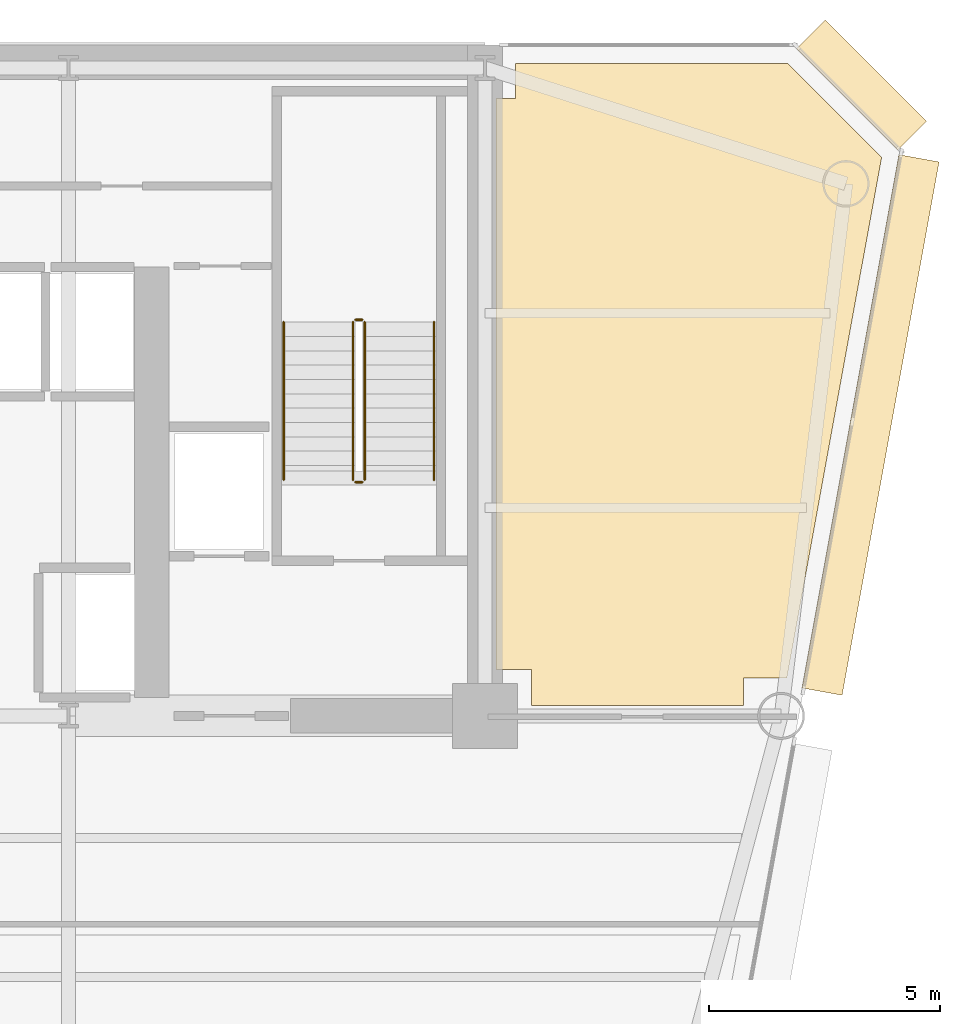
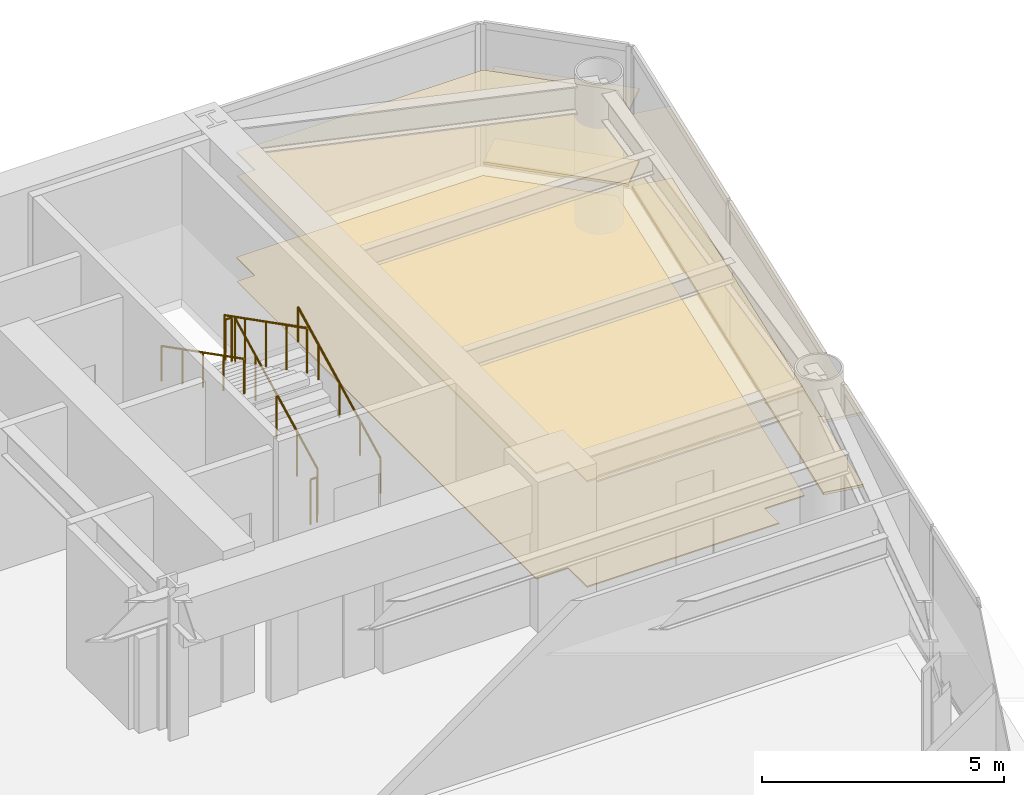
# One storey, part 14 of 14: 6 coverings, 6 railings.
"""IFC4 building model written with IfcOpenShell, lengths in metres."""

from ifc_helpers import new_model, si_unit, direction, frame, origin, origin_2d, place, context, subcontext, project, spatial, polyline, rectangle, circle, outline, extrude, source, transform, mapped, material, layer, layer_set, type_object, element, save


model = new_model("IFC4")

# Units and contexts
model_context = context("Model", 3, precision=1e-05, world=origin(), true_north=direction((0.0, 1.0)))
body_context = subcontext(model_context, "Body", "Model", "MODEL_VIEW")
ifc_project = project(units=[si_unit("LENGTHUNIT", "METRE"), si_unit("AREAUNIT", "SQUARE_METRE"), si_unit("VOLUMEUNIT", "CUBIC_METRE"), si_unit("PLANEANGLEUNIT", "RADIAN"), si_unit("MASSUNIT", "GRAM", prefix="KILO")], contexts=[model_context])

# Site, building, storey
site_placement = place(None, origin())
site = spatial("IfcSite", under=ifc_project, at=site_placement, CompositionType="ELEMENT")
building_placement = place(site_placement, origin())
building = spatial("IfcBuilding", under=site, at=building_placement, Name="Vaeldorn Concourse Tower", CompositionType="ELEMENT")
storey_placement = place(building_placement, frame((0.0, 0.0, 122.39990234375)))
storey = spatial("IfcBuildingStorey", under=building, at=storey_placement, Name="L31", CompositionType="ELEMENT", Elevation=122.39990234375)

# Coverings
ifc_material_1 = material(Name="Acoustic Mineral Fibre Board", Category="gypsum")
ifc_layer_1 = layer(ifc_material_1, 0.0400390625)
ifc_layer_set_1 = layer_set([ifc_layer_1], Name="Acoustic Mineral Fibre Board")
covering_type_1 = type_object("IfcCoveringType", Name="COV-CEIL-ACOUSTIC", PredefinedType="CEILING", material=ifc_layer_set_1)
covering_1_placement = place(storey_placement, frame((0.0, 0.0, 2.650146484375)))
element("IfcCovering", 1, at=covering_1_placement, inside=storey, type_object=covering_type_1, Name="Suspended Acoustic Ceiling L31-4", PredefinedType="CEILING", context=body_context, shape_type="SweptSolid", body=[
    extrude(outline(polyline([(54.659912109375, 49.840087890625), (54.659912109375, 50.60009765625), (60.5341796875, 50.60009765625), (62.56884765625, 48.5654296875), (60.523681640625, 37.320068359375), (59.580078125, 37.320068359375), (59.580078125, 36.719970703125), (55.0, 36.719970703125), (55.0, 37.5), (54.239990234375, 37.5), (54.239990234375, 49.840087890625), (54.659912109375, 49.840087890625)])), origin(), (0.0, 0.0, 1.0), 0.0400390625),
])
ifc_material_2 = material(Name="Honed Limestone Terrazzo Flooring", Category="masonry")
ifc_layer_2 = layer(ifc_material_2, 0.0400390625)
ifc_layer_set_2 = layer_set([ifc_layer_2], Name="Honed Limestone Terrazzo Flooring")
covering_type_2 = type_object("IfcCoveringType", Name="COV-FLOOR-STONE", PredefinedType="FLOORING", material=ifc_layer_set_2)
covering_2_placement = place(storey_placement, origin())
element("IfcCovering", 2, at=covering_2_placement, inside=storey, type_object=covering_type_2, Name="Floor Finish Covering L31-4", PredefinedType="FLOORING", context=body_context, shape_type="SweptSolid", body=[
    extrude(outline(polyline([(54.659912109375, 49.840087890625), (54.659912109375, 50.60009765625), (60.5341796875, 50.60009765625), (62.56884765625, 48.5654296875), (60.523681640625, 37.320068359375), (59.580078125, 37.320068359375), (59.580078125, 36.719970703125), (55.0, 36.719970703125), (55.0, 37.5), (54.239990234375, 37.5), (54.239990234375, 49.840087890625), (54.659912109375, 49.840087890625)])), origin(), (0.0, 0.0, 1.0), 0.030029296875),
])

# Railings
ifc_material_3 = material(Name="Anodised Bronze Aluminium", Category="aluminium")
railing_type_1 = type_object("IfcRailingType", Name="RL-STAIR-GUARD", PredefinedType="GUARDRAIL", material=ifc_material_3)
railing_1_placement = place(storey_placement, frame((51.39990234375, 41.60009765625, 0.158447265625)))
element("IfcRailing", 3, at=railing_1_placement, inside=storey, type_object=railing_type_1, Name="L31 ST-2 stair guard 1", PredefinedType="GUARDRAIL", context=body_context, shape_type="SweptSolid", body=[
    extrude(circle(Radius=0.02392578125, at=origin_2d()), frame((0.0, 0.0, 1.1259765625), z_axis=(0.0, 0.890555807335, 0.454873997962), x_axis=(-1.0, 0.0, 0.0)), (0.0, 0.0, 1.0), 3.828857421875),
    extrude(circle(Radius=0.02099609375, at=origin_2d()), origin(), (0.0, 0.0, 1.0), 1.101806640625),
    extrude(circle(Radius=0.02099609375, at=origin_2d()), frame((0.0, 0.8525390625, 0.435546875)), (0.0, 0.0, 1.0), 1.101806640625),
    extrude(circle(Radius=0.02099609375, at=origin_2d()), frame((0.0, 1.705078125, 0.870849609375)), (0.0, 0.0, 1.0), 1.101806640625),
    extrude(circle(Radius=0.02099609375, at=origin_2d()), frame((0.0, 2.557373046875, 1.30615234375)), (0.0, 0.0, 1.0), 1.101806640625),
    extrude(circle(Radius=0.02099609375, at=origin_2d()), frame((0.0, 3.409912109375, 1.74169921875)), (0.0, 0.0, 1.0), 1.101806640625),
])
railing_2_placement = place(storey_placement, frame((51.35009765625, 45.06005859375, 1.900146484375)))
element("IfcRailing", 4, at=railing_2_placement, inside=storey, type_object=railing_type_1, Name="L31 ST-2 stair guard 2", PredefinedType="GUARDRAIL", context=body_context, shape_type="SweptSolid", body=[
    extrude(circle(Radius=0.02392578125, at=origin_2d()), frame((0.0, 0.0, 1.1259765625), z_axis=(-1.0, 0.0, 0.0), x_axis=(0.0, -1.0, 0.0)), (0.0, 0.0, 1.0), 0.150146484375),
    extrude(circle(Radius=0.02099609375, at=origin_2d()), origin(), (0.0, 0.0, 1.0), 1.101806640625),
    extrude(circle(Radius=0.02099609375, at=origin_2d()), frame((-0.150146484375, 0.0, 0.0)), (0.0, 0.0, 1.0), 1.101806640625),
])
railing_3_placement = place(storey_placement, frame((51.14990234375, 45.010009765625, 2.058349609375)))
element("IfcRailing", 5, at=railing_3_placement, inside=storey, type_object=railing_type_1, Name="L31 ST-2 stair guard 3", PredefinedType="GUARDRAIL", context=body_context, shape_type="SweptSolid", body=[
    extrude(circle(Radius=0.02392578125, at=origin_2d()), frame((0.0, 0.0, 1.1259765625), z_axis=(0.0, -0.890555807335, 0.454873997962), x_axis=(1.0, 0.0, 0.0)), (0.0, 0.0, 1.0), 3.828857421875),
    extrude(circle(Radius=0.02099609375, at=origin_2d()), origin(), (0.0, 0.0, 1.0), 1.101806640625),
    extrude(circle(Radius=0.02099609375, at=origin_2d()), frame((0.0, -0.8525390625, 0.435546875)), (0.0, 0.0, 1.0), 1.101806640625),
    extrude(circle(Radius=0.02099609375, at=origin_2d()), frame((0.0, -1.705078125, 0.870849609375)), (0.0, 0.0, 1.0), 1.101806640625),
    extrude(circle(Radius=0.02099609375, at=origin_2d()), frame((0.0, -2.557373046875, 1.30615234375)), (0.0, 0.0, 1.0), 1.101806640625),
    extrude(circle(Radius=0.02099609375, at=origin_2d()), frame((0.0, -3.409912109375, 1.74169921875)), (0.0, 0.0, 1.0), 1.101806640625),
])
railing_4_placement = place(storey_placement, frame((51.35009765625, 41.550048828125, 0.0)))
element("IfcRailing", 6, at=railing_4_placement, inside=storey, type_object=railing_type_1, Name="L31 ST-2 stair guard 4", PredefinedType="GUARDRAIL", context=body_context, shape_type="SweptSolid", body=[
    extrude(circle(Radius=0.02392578125, at=origin_2d()), frame((0.0, 0.0, 1.1259765625), z_axis=(-1.0, 0.0, 0.0), x_axis=(0.0, -1.0, 0.0)), (0.0, 0.0, 1.0), 0.150146484375),
    extrude(circle(Radius=0.02099609375, at=origin_2d()), origin(), (0.0, 0.0, 1.0), 1.101806640625),
    extrude(circle(Radius=0.02099609375, at=origin_2d()), frame((-0.150146484375, 0.0, 0.0)), (0.0, 0.0, 1.0), 1.101806640625),
])
railing_type_2 = type_object("IfcRailingType", Name="RL-STAIR-HANDRAIL", PredefinedType="HANDRAIL", material=ifc_material_3)
railing_5_placement = place(storey_placement, frame((52.89990234375, 41.60009765625, 0.158447265625)))
element("IfcRailing", 7, at=railing_5_placement, inside=storey, type_object=railing_type_2, Name="L31 ST-2 stair handrail 1", PredefinedType="HANDRAIL", context=body_context, shape_type="SweptSolid", body=[
    extrude(circle(Radius=0.02392578125, at=origin_2d()), frame((0.0, 0.0, 0.8759765625), z_axis=(0.0, 0.890555807335, 0.454873997962), x_axis=(-1.0, 0.0, 0.0)), (0.0, 0.0, 1.0), 3.828857421875),
    extrude(circle(Radius=0.02099609375, at=origin_2d()), origin(), (0.0, 0.0, 1.0), 0.851806640625),
    extrude(circle(Radius=0.02099609375, at=origin_2d()), frame((0.0, 0.8525390625, 0.435546875)), (0.0, 0.0, 1.0), 0.851806640625),
    extrude(circle(Radius=0.02099609375, at=origin_2d()), frame((0.0, 1.705078125, 0.870849609375)), (0.0, 0.0, 1.0), 0.851806640625),
    extrude(circle(Radius=0.02099609375, at=origin_2d()), frame((0.0, 2.557373046875, 1.30615234375)), (0.0, 0.0, 1.0), 0.851806640625),
    extrude(circle(Radius=0.02099609375, at=origin_2d()), frame((0.0, 3.409912109375, 1.74169921875)), (0.0, 0.0, 1.0), 0.851806640625),
])
railing_6_placement = place(storey_placement, frame((49.64990234375, 45.010009765625, 2.058349609375)))
element("IfcRailing", 8, at=railing_6_placement, inside=storey, type_object=railing_type_2, Name="L31 ST-2 stair handrail 2", PredefinedType="HANDRAIL", context=body_context, shape_type="SweptSolid", body=[
    extrude(circle(Radius=0.02392578125, at=origin_2d()), frame((0.0, 0.0, 0.8759765625), z_axis=(0.0, -0.890555807335, 0.454873997962), x_axis=(1.0, 0.0, 0.0)), (0.0, 0.0, 1.0), 3.828857421875),
    extrude(circle(Radius=0.02099609375, at=origin_2d()), origin(), (0.0, 0.0, 1.0), 0.851806640625),
    extrude(circle(Radius=0.02099609375, at=origin_2d()), frame((0.0, -0.8525390625, 0.435546875)), (0.0, 0.0, 1.0), 0.851806640625),
    extrude(circle(Radius=0.02099609375, at=origin_2d()), frame((0.0, -1.705078125, 0.870849609375)), (0.0, 0.0, 1.0), 0.851806640625),
    extrude(circle(Radius=0.02099609375, at=origin_2d()), frame((0.0, -2.557373046875, 1.30615234375)), (0.0, 0.0, 1.0), 0.851806640625),
    extrude(circle(Radius=0.02099609375, at=origin_2d()), frame((0.0, -3.409912109375, 1.74169921875)), (0.0, 0.0, 1.0), 0.851806640625),
])

# Coverings
ifc_layer_3 = layer(ifc_material_3, 0.06494140625)
ifc_layer_set_3 = layer_set([ifc_layer_3], Name="Anodised Bronze Aluminium")
covering_type_3 = type_object("IfcCoveringType", Name="SD-BRONZE-SUNSHADE", PredefinedType="USERDEFINED", material=ifc_layer_set_3)
shared_shape_1 = source(origin(), body_context, "Body", "SweptSolid", [
    extrude(rectangle(XDim=3.0927734375, YDim=0.8798828125, at=origin_2d()), origin(), (0.0, 0.0, 1.0), 0.06494140625),
])
for number, where, z_axis, x_axis, name in (
    (9, (62.1328125, 50.1328125, 0.047607421875), (0.0, 0.0, 1.0), (-0.707106781187, 0.707106781187, 0.0), "Horizontal Bronze Sunshade L31-E08.1.1"),
    (10, (62.1328125, 50.1328125, 1.86767578125), (0.0, 0.0, 1.0), (-0.707106781187, 0.707106781187, 0.0), "Horizontal Bronze Sunshade L31-E08.1.2"),
):
    element("IfcCovering", number, at=place(storey_placement, frame(where, z_axis=z_axis, x_axis=x_axis)), inside=storey, type_object=covering_type_3, Name=name, ObjectType="SUNSHADE", PredefinedType="USERDEFINED", context=body_context, shape_type="MappedRepresentation", body=[
        mapped(shared_shape_1, transform((0.0, 0.0, 0.0), scale=1.0)),
    ])
shared_shape_2 = source(origin(), body_context, "Body", "SweptSolid", [
    extrude(rectangle(XDim=11.713623046875, YDim=0.8798828125, at=origin_2d()), origin(), (0.0, 0.0, 1.0), 0.06494140625),
])
for number, where, z_axis, x_axis, name in (
    (11, (62.331298828125, 42.787353515625, 0.047607421875), (0.0, 0.0, 1.0), (0.17893958964, 0.983860062844, 0.0), "Horizontal Bronze Sunshade L31-E07.2.1"),
    (12, (62.331298828125, 42.787353515625, 1.86767578125), (0.0, 0.0, 1.0), (0.17893958964, 0.983860062844, 0.0), "Horizontal Bronze Sunshade L31-E07.2.2"),
):
    element("IfcCovering", number, at=place(storey_placement, frame(where, z_axis=z_axis, x_axis=x_axis)), inside=storey, type_object=covering_type_3, Name=name, ObjectType="SUNSHADE", PredefinedType="USERDEFINED", context=body_context, shape_type="MappedRepresentation", body=[
        mapped(shared_shape_2, transform((0.0, 0.0, 0.0), scale=1.0)),
    ])

save(model, "model.ifc")
